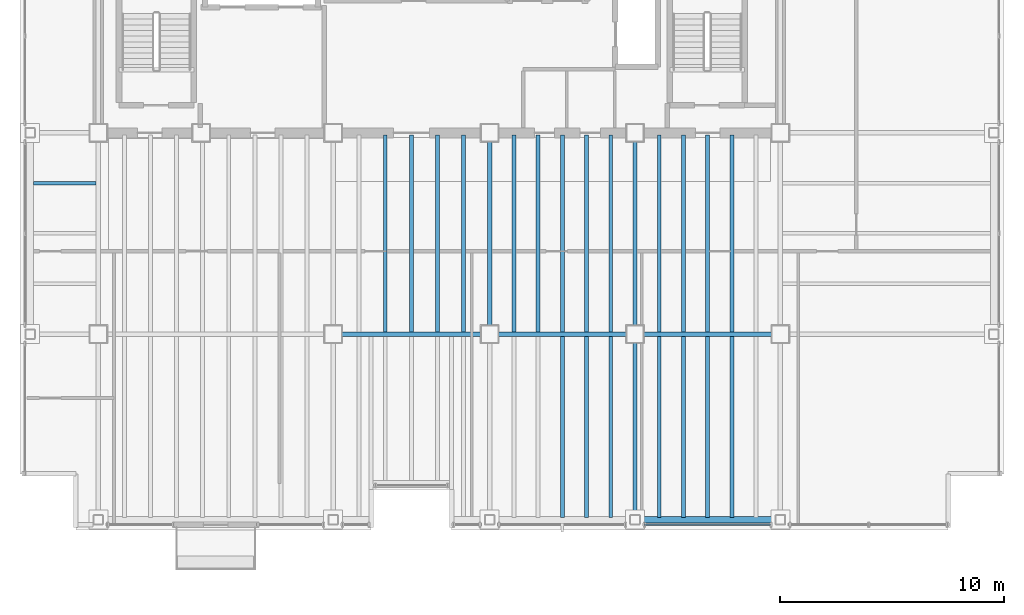
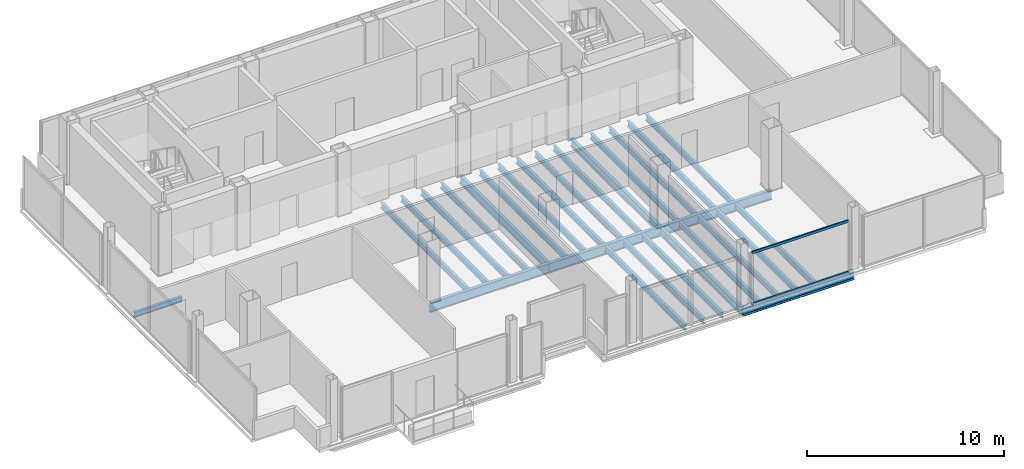
# One storey, part 5 of 15: 28 beams, 2 members, 1 element without a shape of its own.
"""IFC4 building model written with IfcOpenShell, lengths in metres."""

from ifc_helpers import new_model, si_unit, direction, frame, origin, origin_2d, place, context, subcontext, project, spatial, hollow_rectangle, i_section, extrude, material, material_profile, profile_set, type_object, element, aggregate, save


model = new_model("IFC4")

# Units and contexts
model_context = context("Model", 3, precision=1e-05, world=origin(), true_north=direction((0.0, 1.0)))
body_context = subcontext(model_context, "Body", "Model", "MODEL_VIEW")
ifc_project = project(units=[si_unit("LENGTHUNIT", "METRE"), si_unit("AREAUNIT", "SQUARE_METRE"), si_unit("VOLUMEUNIT", "CUBIC_METRE"), si_unit("PLANEANGLEUNIT", "RADIAN"), si_unit("MASSUNIT", "GRAM", prefix="KILO")], contexts=[model_context])

# Site, building, storey
site_placement = place(None, origin())
site = spatial("IfcSite", under=ifc_project, at=site_placement, CompositionType="ELEMENT")
building_placement = place(site_placement, origin())
building = spatial("IfcBuilding", under=site, at=building_placement, Name="Noeulbin Bourse Tower", CompositionType="ELEMENT")
storey_placement = place(building_placement, frame((0.0, 0.0, 215.0)))
storey = spatial("IfcBuildingStorey", under=building, at=storey_placement, Name="L53", CompositionType="ELEMENT", Elevation=215.0)

# Beams
ifc_material_1 = material(Name="Steel S355", Category="steel")
ifc_material_profile_1 = material_profile(ifc_material_1, i_section(OverallWidth=0.199951171875, OverallDepth=0.5, WebThickness=0.010009765625, FlangeThickness=0.01611328125, FilletRadius=0.02001953125, at=origin_2d()), Name="H-500x200x10x16", Category="LoadBearing")
ifc_profile_set_1 = profile_set([ifc_material_profile_1], Name="Steel S355")
beam_type_1 = type_object("IfcBeamType", Name="BM-GRD-500", PredefinedType="USERDEFINED", material=ifc_profile_set_1)
beam_1_placement = place(storey_placement, frame((31.0, 20.0, -0.429931640625), z_axis=(0.0, 1.0, 0.0), x_axis=(-1.0, 0.0, 0.0)))
element("IfcBeam", 1, at=beam_1_placement, inside=storey, type_object=beam_type_1, Name="Tower Primary Girder NS L53-3.2", ObjectType="GIRDER", PredefinedType="USERDEFINED", context=body_context, shape_type="SweptSolid", body=[
    extrude(i_section(OverallWidth=0.199951171875, OverallDepth=0.5, WebThickness=0.010009765625, FlangeThickness=0.01611328125, FilletRadius=0.02001953125, at=origin_2d()), origin(), (0.0, 0.0, 1.0), 9.0),
])
beam_2_placement = place(storey_placement, frame((37.5, 11.699951171875, -0.429931640625), z_axis=(0.0, 1.0, 0.0), x_axis=(-1.0, 0.0, 0.0)))
element("IfcBeam", 2, at=beam_2_placement, inside=storey, type_object=beam_type_1, Name="Tower Primary Girder NS L53-4.1", ObjectType="GIRDER", PredefinedType="USERDEFINED", context=body_context, shape_type="SweptSolid", body=[
    extrude(i_section(OverallWidth=0.199951171875, OverallDepth=0.5, WebThickness=0.010009765625, FlangeThickness=0.01611328125, FilletRadius=0.02001953125, at=origin_2d()), origin(), (0.0, 0.0, 1.0), 8.300048828125),
])
beam_3_placement = place(storey_placement, frame((37.5, 20.0, -0.429931640625), z_axis=(0.0, 1.0, 0.0), x_axis=(-1.0, 0.0, 0.0)))
element("IfcBeam", 3, at=beam_3_placement, inside=storey, type_object=beam_type_1, Name="Tower Primary Girder NS L53-4.2", ObjectType="GIRDER", PredefinedType="USERDEFINED", context=body_context, shape_type="SweptSolid", body=[
    extrude(i_section(OverallWidth=0.199951171875, OverallDepth=0.5, WebThickness=0.010009765625, FlangeThickness=0.01611328125, FilletRadius=0.02001953125, at=origin_2d()), origin(), (0.0, 0.0, 1.0), 9.0),
])
ifc_material_profile_2 = material_profile(ifc_material_1, i_section(OverallWidth=0.199951171875, OverallDepth=0.60009765625, WebThickness=0.010986328125, FlangeThickness=0.01708984375, FilletRadius=0.02197265625, at=origin_2d()), Name="H-600x200x11x17", Category="LoadBearing")
ifc_profile_set_2 = profile_set([ifc_material_profile_2], Name="Steel S355")
beam_type_2 = type_object("IfcBeamType", Name="BM-GRD-600", PredefinedType="USERDEFINED", material=ifc_profile_set_2)
beam_4_placement = place(storey_placement, frame((24.0, 20.0, -0.47998046875), z_axis=(1.0, 0.0, 0.0), x_axis=(0.0, 1.0, 0.0)))
element("IfcBeam", 4, at=beam_4_placement, inside=storey, type_object=beam_type_2, Name="Tower Primary Girder EW L53-1.3", ObjectType="GIRDER", PredefinedType="USERDEFINED", context=body_context, shape_type="SweptSolid", body=[
    extrude(i_section(OverallWidth=0.199951171875, OverallDepth=0.60009765625, WebThickness=0.010986328125, FlangeThickness=0.01708984375, FilletRadius=0.02197265625, at=origin_2d()), origin(), (0.0, 0.0, 1.0), 7.0),
])
for number, where, z_axis, x_axis, name in (
    (5, (31.0, 20.0, -0.47998046875), (1.0, 0.0, 0.0), (0.0, 1.0, 0.0), "Tower Primary Girder EW L53-1.4"),
    (6, (37.5, 20.0, -0.47998046875), (1.0, 0.0, 0.0), (0.0, 1.0, 0.0), "Tower Primary Girder EW L53-1.5"),
):
    element("IfcBeam", number, at=place(storey_placement, frame(where, z_axis=z_axis, x_axis=x_axis)), inside=storey, type_object=beam_type_2, Name=name, ObjectType="GIRDER", PredefinedType="USERDEFINED", context=body_context, shape_type="SweptSolid", body=[
        extrude(i_section(OverallWidth=0.199951171875, OverallDepth=0.60009765625, WebThickness=0.010986328125, FlangeThickness=0.01708984375, FilletRadius=0.02197265625, at=origin_2d()), origin(), (0.0, 0.0, 1.0), 6.5),
    ])
ifc_material_profile_3 = material_profile(ifc_material_1, i_section(OverallWidth=0.159912109375, OverallDepth=0.320068359375, WebThickness=0.006591796875, FlangeThickness=0.010009765625, FilletRadius=0.012939453125, at=origin_2d()), Name="H-320x160x6.5x10", Category="LoadBearing")
ifc_profile_set_3 = profile_set([ifc_material_profile_3], Name="Steel S355")
beam_type_3 = type_object("IfcBeamType", Name="BM-JST-320", PredefinedType="JOIST", material=ifc_profile_set_3)
beam_5_placement = place(storey_placement, frame((10.60009765625, 26.75, -0.340087890625), z_axis=(1.0, 0.0, 0.0), x_axis=(0.0, 1.0, 0.0)))
element("IfcBeam", 7, at=beam_5_placement, inside=storey, type_object=beam_type_3, Name="Wing Composite Joist L53-W49", PredefinedType="JOIST", context=body_context, shape_type="SweptSolid", body=[
    extrude(i_section(OverallWidth=0.159912109375, OverallDepth=0.320068359375, WebThickness=0.006591796875, FlangeThickness=0.010009765625, FilletRadius=0.012939453125, at=origin_2d()), origin(), (0.0, 0.0, 1.0), 2.7998046875),
])
ifc_material_profile_4 = material_profile(ifc_material_1, i_section(OverallWidth=0.175048828125, OverallDepth=0.35009765625, WebThickness=0.007080078125, FlangeThickness=0.010986328125, FilletRadius=0.013916015625, at=origin_2d()), Name="H-350x175x7x11", Category="LoadBearing")
ifc_profile_set_4 = profile_set([ifc_material_profile_4], Name="Steel S355")
beam_type_4 = type_object("IfcBeamType", Name="BM-JST-350", PredefinedType="JOIST", material=ifc_profile_set_4)
for number, where, z_axis, x_axis, name in (
    (8, (26.333251953125, 20.10009765625, -0.35498046875), (0.0, 1.0, 0.0), (-1.0, 0.0, 0.0), "Tower Composite Joist L53-20"),
    (9, (27.5, 20.10009765625, -0.35498046875), (0.0, 1.0, 0.0), (-1.0, 0.0, 0.0), "Tower Composite Joist L53-22"),
    (10, (28.666748046875, 20.10009765625, -0.35498046875), (0.0, 1.0, 0.0), (-1.0, 0.0, 0.0), "Tower Composite Joist L53-24"),
    (11, (29.833251953125, 20.10009765625, -0.35498046875), (0.0, 1.0, 0.0), (-1.0, 0.0, 0.0), "Tower Composite Joist L53-26"),
    (12, (32.083251953125, 20.10009765625, -0.35498046875), (0.0, 1.0, 0.0), (-1.0, 0.0, 0.0), "Tower Composite Joist L53-28"),
    (13, (33.166748046875, 20.10009765625, -0.35498046875), (0.0, 1.0, 0.0), (-1.0, 0.0, 0.0), "Tower Composite Joist L53-30"),
):
    element("IfcBeam", number, at=place(storey_placement, frame(where, z_axis=z_axis, x_axis=x_axis)), inside=storey, type_object=beam_type_4, Name=name, PredefinedType="JOIST", context=body_context, shape_type="SweptSolid", body=[
        extrude(i_section(OverallWidth=0.175048828125, OverallDepth=0.35009765625, WebThickness=0.007080078125, FlangeThickness=0.010986328125, FilletRadius=0.013916015625, at=origin_2d()), origin(), (0.0, 0.0, 1.0), 8.7998046875),
    ])
beam_6_placement = place(storey_placement, frame((34.25, 11.800048828125, -0.35498046875), z_axis=(0.0, 1.0, 0.0), x_axis=(-1.0, 0.0, 0.0)))
element("IfcBeam", 14, at=beam_6_placement, inside=storey, type_object=beam_type_4, Name="Tower Composite Joist L53-31", PredefinedType="JOIST", context=body_context, shape_type="SweptSolid", body=[
    extrude(i_section(OverallWidth=0.175048828125, OverallDepth=0.35009765625, WebThickness=0.007080078125, FlangeThickness=0.010986328125, FilletRadius=0.013916015625, at=origin_2d()), origin(), (0.0, 0.0, 1.0), 8.099853515625),
])
beam_7_placement = place(storey_placement, frame((34.25, 20.10009765625, -0.35498046875), z_axis=(0.0, 1.0, 0.0), x_axis=(-1.0, 0.0, 0.0)))
element("IfcBeam", 15, at=beam_7_placement, inside=storey, type_object=beam_type_4, Name="Tower Composite Joist L53-32", PredefinedType="JOIST", context=body_context, shape_type="SweptSolid", body=[
    extrude(i_section(OverallWidth=0.175048828125, OverallDepth=0.35009765625, WebThickness=0.007080078125, FlangeThickness=0.010986328125, FilletRadius=0.013916015625, at=origin_2d()), origin(), (0.0, 0.0, 1.0), 8.7998046875),
])
beam_8_placement = place(storey_placement, frame((35.333251953125, 11.800048828125, -0.35498046875), z_axis=(0.0, 1.0, 0.0), x_axis=(-1.0, 0.0, 0.0)))
element("IfcBeam", 16, at=beam_8_placement, inside=storey, type_object=beam_type_4, Name="Tower Composite Joist L53-33", PredefinedType="JOIST", context=body_context, shape_type="SweptSolid", body=[
    extrude(i_section(OverallWidth=0.175048828125, OverallDepth=0.35009765625, WebThickness=0.007080078125, FlangeThickness=0.010986328125, FilletRadius=0.013916015625, at=origin_2d()), origin(), (0.0, 0.0, 1.0), 8.099853515625),
])
beam_9_placement = place(storey_placement, frame((35.333251953125, 20.10009765625, -0.35498046875), z_axis=(0.0, 1.0, 0.0), x_axis=(-1.0, 0.0, 0.0)))
element("IfcBeam", 17, at=beam_9_placement, inside=storey, type_object=beam_type_4, Name="Tower Composite Joist L53-34", PredefinedType="JOIST", context=body_context, shape_type="SweptSolid", body=[
    extrude(i_section(OverallWidth=0.175048828125, OverallDepth=0.35009765625, WebThickness=0.007080078125, FlangeThickness=0.010986328125, FilletRadius=0.013916015625, at=origin_2d()), origin(), (0.0, 0.0, 1.0), 8.7998046875),
])
beam_10_placement = place(storey_placement, frame((36.416748046875, 11.800048828125, -0.35498046875), z_axis=(0.0, 1.0, 0.0), x_axis=(-1.0, 0.0, 0.0)))
element("IfcBeam", 18, at=beam_10_placement, inside=storey, type_object=beam_type_4, Name="Tower Composite Joist L53-35", PredefinedType="JOIST", context=body_context, shape_type="SweptSolid", body=[
    extrude(i_section(OverallWidth=0.175048828125, OverallDepth=0.35009765625, WebThickness=0.007080078125, FlangeThickness=0.010986328125, FilletRadius=0.013916015625, at=origin_2d()), origin(), (0.0, 0.0, 1.0), 8.099853515625),
])
beam_11_placement = place(storey_placement, frame((36.416748046875, 20.10009765625, -0.35498046875), z_axis=(0.0, 1.0, 0.0), x_axis=(-1.0, 0.0, 0.0)))
element("IfcBeam", 19, at=beam_11_placement, inside=storey, type_object=beam_type_4, Name="Tower Composite Joist L53-36", PredefinedType="JOIST", context=body_context, shape_type="SweptSolid", body=[
    extrude(i_section(OverallWidth=0.175048828125, OverallDepth=0.35009765625, WebThickness=0.007080078125, FlangeThickness=0.010986328125, FilletRadius=0.013916015625, at=origin_2d()), origin(), (0.0, 0.0, 1.0), 8.7998046875),
])
beam_12_placement = place(storey_placement, frame((38.583251953125, 11.800048828125, -0.35498046875), z_axis=(0.0, 1.0, 0.0), x_axis=(-1.0, 0.0, 0.0)))
element("IfcBeam", 20, at=beam_12_placement, inside=storey, type_object=beam_type_4, Name="Tower Composite Joist L53-37", PredefinedType="JOIST", context=body_context, shape_type="SweptSolid", body=[
    extrude(i_section(OverallWidth=0.175048828125, OverallDepth=0.35009765625, WebThickness=0.007080078125, FlangeThickness=0.010986328125, FilletRadius=0.013916015625, at=origin_2d()), origin(), (0.0, 0.0, 1.0), 8.099853515625),
])
beam_13_placement = place(storey_placement, frame((38.583251953125, 20.10009765625, -0.35498046875), z_axis=(0.0, 1.0, 0.0), x_axis=(-1.0, 0.0, 0.0)))
element("IfcBeam", 21, at=beam_13_placement, inside=storey, type_object=beam_type_4, Name="Tower Composite Joist L53-38", PredefinedType="JOIST", context=body_context, shape_type="SweptSolid", body=[
    extrude(i_section(OverallWidth=0.175048828125, OverallDepth=0.35009765625, WebThickness=0.007080078125, FlangeThickness=0.010986328125, FilletRadius=0.013916015625, at=origin_2d()), origin(), (0.0, 0.0, 1.0), 8.7998046875),
])
beam_14_placement = place(storey_placement, frame((39.666748046875, 11.800048828125, -0.35498046875), z_axis=(0.0, 1.0, 0.0), x_axis=(-1.0, 0.0, 0.0)))
element("IfcBeam", 22, at=beam_14_placement, inside=storey, type_object=beam_type_4, Name="Tower Composite Joist L53-39", PredefinedType="JOIST", context=body_context, shape_type="SweptSolid", body=[
    extrude(i_section(OverallWidth=0.175048828125, OverallDepth=0.35009765625, WebThickness=0.007080078125, FlangeThickness=0.010986328125, FilletRadius=0.013916015625, at=origin_2d()), origin(), (0.0, 0.0, 1.0), 8.099853515625),
])
beam_15_placement = place(storey_placement, frame((39.666748046875, 20.10009765625, -0.35498046875), z_axis=(0.0, 1.0, 0.0), x_axis=(-1.0, 0.0, 0.0)))
element("IfcBeam", 23, at=beam_15_placement, inside=storey, type_object=beam_type_4, Name="Tower Composite Joist L53-40", PredefinedType="JOIST", context=body_context, shape_type="SweptSolid", body=[
    extrude(i_section(OverallWidth=0.175048828125, OverallDepth=0.35009765625, WebThickness=0.007080078125, FlangeThickness=0.010986328125, FilletRadius=0.013916015625, at=origin_2d()), origin(), (0.0, 0.0, 1.0), 8.7998046875),
])
beam_16_placement = place(storey_placement, frame((40.75, 11.800048828125, -0.35498046875), z_axis=(0.0, 1.0, 0.0), x_axis=(-1.0, 0.0, 0.0)))
element("IfcBeam", 24, at=beam_16_placement, inside=storey, type_object=beam_type_4, Name="Tower Composite Joist L53-41", PredefinedType="JOIST", context=body_context, shape_type="SweptSolid", body=[
    extrude(i_section(OverallWidth=0.175048828125, OverallDepth=0.35009765625, WebThickness=0.007080078125, FlangeThickness=0.010986328125, FilletRadius=0.013916015625, at=origin_2d()), origin(), (0.0, 0.0, 1.0), 8.099853515625),
])
beam_17_placement = place(storey_placement, frame((40.75, 20.10009765625, -0.35498046875), z_axis=(0.0, 1.0, 0.0), x_axis=(-1.0, 0.0, 0.0)))
element("IfcBeam", 25, at=beam_17_placement, inside=storey, type_object=beam_type_4, Name="Tower Composite Joist L53-42", PredefinedType="JOIST", context=body_context, shape_type="SweptSolid", body=[
    extrude(i_section(OverallWidth=0.175048828125, OverallDepth=0.35009765625, WebThickness=0.007080078125, FlangeThickness=0.010986328125, FilletRadius=0.013916015625, at=origin_2d()), origin(), (0.0, 0.0, 1.0), 8.7998046875),
])
beam_18_placement = place(storey_placement, frame((41.833251953125, 11.800048828125, -0.35498046875), z_axis=(0.0, 1.0, 0.0), x_axis=(-1.0, 0.0, 0.0)))
element("IfcBeam", 26, at=beam_18_placement, inside=storey, type_object=beam_type_4, Name="Tower Composite Joist L53-43", PredefinedType="JOIST", context=body_context, shape_type="SweptSolid", body=[
    extrude(i_section(OverallWidth=0.175048828125, OverallDepth=0.35009765625, WebThickness=0.007080078125, FlangeThickness=0.010986328125, FilletRadius=0.013916015625, at=origin_2d()), origin(), (0.0, 0.0, 1.0), 8.099853515625),
])
beam_19_placement = place(storey_placement, frame((41.833251953125, 20.10009765625, -0.35498046875), z_axis=(0.0, 1.0, 0.0), x_axis=(-1.0, 0.0, 0.0)))
element("IfcBeam", 27, at=beam_19_placement, inside=storey, type_object=beam_type_4, Name="Tower Composite Joist L53-44", PredefinedType="JOIST", context=body_context, shape_type="SweptSolid", body=[
    extrude(i_section(OverallWidth=0.175048828125, OverallDepth=0.35009765625, WebThickness=0.007080078125, FlangeThickness=0.010986328125, FilletRadius=0.013916015625, at=origin_2d()), origin(), (0.0, 0.0, 1.0), 8.7998046875),
])
ifc_material_profile_5 = material_profile(ifc_material_1, i_section(OverallWidth=0.300048828125, OverallDepth=0.488037109375, WebThickness=0.010986328125, FlangeThickness=0.01806640625, FilletRadius=0.02197265625, at=origin_2d()), Name="H-488x300x11x18", Category="LoadBearing")
ifc_profile_set_5 = profile_set([ifc_material_profile_5], Name="Steel S355")
beam_type_5 = type_object("IfcBeamType", Name="BM-SPN-488", PredefinedType="SPANDREL", material=ifc_profile_set_5)
beam_20_placement = place(storey_placement, frame((37.5, 11.699951171875, -0.424072265625), z_axis=(1.0, 0.0, 0.0), x_axis=(0.0, 1.0, 0.0)))
element("IfcBeam", 28, at=beam_20_placement, inside=storey, type_object=beam_type_5, Name="South Spandrel L53-4", PredefinedType="SPANDREL", context=body_context, shape_type="SweptSolid", body=[
    extrude(i_section(OverallWidth=0.300048828125, OverallDepth=0.488037109375, WebThickness=0.010986328125, FlangeThickness=0.01806640625, FilletRadius=0.02197265625, at=origin_2d()), origin(), (0.0, 0.0, 1.0), 6.5),
])

# Curtain wall, members
ifc_material_2 = material(Name="High-Selectivity Low-Iron Glazing", Category="glass")
curtain_wall_type = type_object("IfcCurtainWallType", Name="CW-SYS-4", PredefinedType="NOTDEFINED", material=ifc_material_2)
curtain_wall_placement = place(storey_placement, origin())
curtain_wall = element("IfcCurtainWall", 29, at=curtain_wall_placement, inside=storey, type_object=curtain_wall_type, Name="Unitised Curtain Wall CW-L53-S3-S3", PredefinedType="NOTDEFINED")
ifc_material_3 = material(Name="Anodised Aluminium 6063-T6", Category="aluminium")
ifc_material_profile_6 = material_profile(ifc_material_3, hollow_rectangle(XDim=0.074951171875, YDim=0.159912109375, WallThickness=0.0048828125, InnerFilletRadius=0.00244140625, OuterFilletRadius=0.0048828125, at=origin_2d()), Name="ALU-TRAN-75x160x5", Category="LoadBearing")
ifc_profile_set_6 = profile_set([ifc_material_profile_6], Name="Anodised Aluminium 6063-T6")
member_type = type_object("IfcMemberType", Name="CW-SYS-4-TRN", PredefinedType="USERDEFINED", material=ifc_profile_set_6)
member_1_placement = place(storey_placement, frame((37.93505859375, 11.469970703125, 0.010009765625), z_axis=(1.0, 0.0, 0.0), x_axis=(0.0, 1.0, 0.0)))
member_1 = element("IfcMember", 30, at=member_1_placement, type_object=member_type, Name="Curtain Wall Transom CW-L53-S3-S3-T00", ObjectType="TRANSOM", PredefinedType="USERDEFINED", context=body_context, shape_type="SweptSolid", body=[
    extrude(hollow_rectangle(XDim=0.074951171875, YDim=0.159912109375, WallThickness=0.0048828125, InnerFilletRadius=0.00244140625, OuterFilletRadius=0.0048828125, at=origin_2d()), origin(), (0.0, 0.0, 1.0), 5.6298828125),
])
member_2_placement = place(storey_placement, frame((37.93505859375, 11.469970703125, 3.169921875), z_axis=(1.0, 0.0, 0.0), x_axis=(0.0, 1.0, 0.0)))
member_2 = element("IfcMember", 31, at=member_2_placement, type_object=member_type, Name="Curtain Wall Transom CW-L53-S3-S3-T01", ObjectType="TRANSOM", PredefinedType="USERDEFINED", context=body_context, shape_type="SweptSolid", body=[
    extrude(hollow_rectangle(XDim=0.074951171875, YDim=0.159912109375, WallThickness=0.0048828125, InnerFilletRadius=0.00244140625, OuterFilletRadius=0.0048828125, at=origin_2d()), origin(), (0.0, 0.0, 1.0), 5.6298828125),
])
aggregate(curtain_wall, [member_1, member_2])

save(model, "model.ifc")
